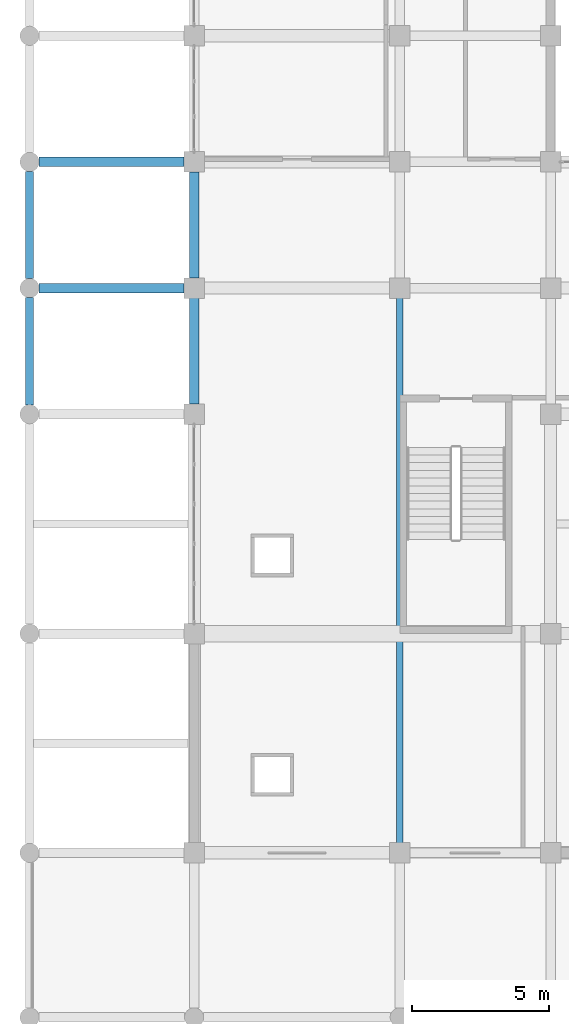
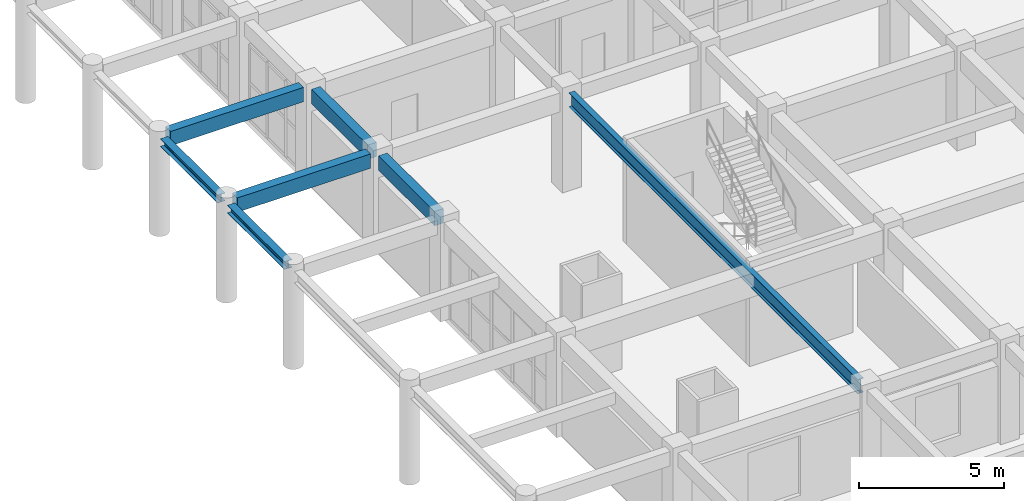
# One storey, part 7 of 116: 7 beams.
"""IFC4 building model written with IfcOpenShell, lengths in metres."""

from ifc_helpers import new_model, si_unit, direction, frame, origin, origin_2d, place, context, subcontext, project, spatial, rectangle, i_section, extrude, material, material_profile, profile_set, type_object, element, save


model = new_model("IFC4")

# Units and contexts
model_context = context("Model", 3, precision=1e-05, world=origin(), true_north=direction((0.0, 1.0)))
body_context = subcontext(model_context, "Body", "Model", "MODEL_VIEW")
ifc_project = project(units=[si_unit("LENGTHUNIT", "METRE"), si_unit("AREAUNIT", "SQUARE_METRE"), si_unit("VOLUMEUNIT", "CUBIC_METRE"), si_unit("PLANEANGLEUNIT", "RADIAN"), si_unit("MASSUNIT", "GRAM", prefix="KILO")], contexts=[model_context])

# Site, building, storey
site_placement = place(None, origin())
site = spatial("IfcSite", under=ifc_project, at=site_placement, CompositionType="ELEMENT")
building_placement = place(site_placement, origin())
building = spatial("IfcBuilding", under=site, at=building_placement, Name="Muzn Square Opera House", CompositionType="ELEMENT")
storey_placement = place(building_placement, frame((0.0, 0.0, 5.39990234375)))
storey = spatial("IfcBuildingStorey", under=building, at=storey_placement, Name="L01", CompositionType="ELEMENT", Elevation=5.39990234375)

# Beams
ifc_material_1 = material(Name="Concrete C40/50", Category="concrete")
ifc_material_profile_1 = material_profile(ifc_material_1, rectangle(XDim=0.35009765625, YDim=0.60009765625, at=origin_2d()), Name="RCB 350x600", Category="concrete")
ifc_profile_set_1 = profile_set([ifc_material_profile_1], Name="Concrete C40/50")
beam_type_1 = type_object("IfcBeamType", Name="Primary Girder 350x600", PredefinedType="BEAM", material=ifc_profile_set_1)
for number, where, z_axis, x_axis, name in (
    (1, (0.342041015625, 26.60009765625, 3.85009765625), (1.0, 0.0, 0.0), (0.0, 1.0, 0.0), "Primary Girder BM-L01-BM-PG600-3_266_56_266-1295"),
    (2, (0.342041015625, 31.199951171875, 3.85009765625), (1.0, 0.0, 0.0), (0.0, 1.0, 0.0), "Primary Girder BM-L01-BM-PG600-3_312_56_312-1312"),
):
    element("IfcBeam", number, at=place(storey_placement, frame(where, z_axis=z_axis, x_axis=x_axis)), inside=storey, type_object=beam_type_1, Name=name, PredefinedType="BEAM", context=body_context, shape_type="SweptSolid", body=[
        extrude(rectangle(XDim=0.35009765625, YDim=0.60009765625, at=origin_2d()), origin(), (0.0, 0.0, 1.0), 5.291015625),
    ])
for number, where, z_axis, x_axis, name in (
    (3, (6.0, 22.366943359375, 3.820068359375), (0.0, 1.0, 0.0), (-1.0, 0.0, 0.0), "Primary Girder BM-L01-BM-PG600-60_224_60_262-1528"),
    (4, (6.0, 26.967041015625, 3.820068359375), (0.0, 1.0, 0.0), (-1.0, 0.0, 0.0), "Primary Girder BM-L01-BM-PG600-60_270_60_308-1529"),
):
    element("IfcBeam", number, at=place(storey_placement, frame(where, z_axis=z_axis, x_axis=x_axis)), inside=storey, type_object=beam_type_1, Name=name, PredefinedType="BEAM", context=body_context, shape_type="SweptSolid", body=[
        extrude(rectangle(XDim=0.35009765625, YDim=0.60009765625, at=origin_2d()), origin(), (0.0, 0.0, 1.0), 3.865966796875),
    ])
ifc_material_2 = material(Name="Steel S355", Category="steel")
ifc_material_profile_2 = material_profile(ifc_material_2, i_section(OverallWidth=0.219970703125, OverallDepth=0.60009765625, WebThickness=0.011962890625, FlangeThickness=0.01904296875, FilletRadius=0.02392578125, at=origin_2d()), Name="IPE 600", Category="steel")
ifc_profile_set_2 = profile_set([ifc_material_profile_2], Name="Steel S355")
beam_type_2 = type_object("IfcBeamType", Name="Stage Gallery Beam IPE600", PredefinedType="BEAM", material=ifc_profile_set_2)
beam_placement = place(storey_placement, frame((13.5, 6.366943359375, 3.820068359375), z_axis=(0.0, 1.0, 0.0), x_axis=(-1.0, 0.0, 0.0)))
element("IfcBeam", 5, at=beam_placement, inside=storey, type_object=beam_type_2, Name="Primary Girder BM-L01-BM-SG600-135_64_135_262-1543", PredefinedType="BEAM", context=body_context, shape_type="SweptSolid", body=[
    extrude(i_section(OverallWidth=0.219970703125, OverallDepth=0.60009765625, WebThickness=0.011962890625, FlangeThickness=0.01904296875, FilletRadius=0.02392578125, at=origin_2d()), origin(), (0.0, 0.0, 1.0), 19.865966796875),
])
ifc_material_profile_3 = material_profile(ifc_material_2, i_section(OverallWidth=0.300048828125, OverallDepth=0.330078125, WebThickness=0.009521484375, FlangeThickness=0.0166015625, FilletRadius=0.027099609375, at=origin_2d()), Name="HEA 340", Category="steel")
ifc_profile_set_3 = profile_set([ifc_material_profile_3], Name="Steel S355")
beam_type_3 = type_object("IfcBeamType", Name="Steel Spandrel Beam HEA340", PredefinedType="SPANDREL", material=ifc_profile_set_3)
for number, where, z_axis, x_axis, name in (
    (6, (0.0, 22.342041015625, 3.955078125), (0.0, 1.0, 0.0), (-1.0, 0.0, 0.0), "Spandrel Beam BM-L01-BM-SSP340-0_223_0_263-1511"),
    (7, (0.0, 26.94189453125, 3.955078125), (0.0, 1.0, 0.0), (-1.0, 0.0, 0.0), "Spandrel Beam BM-L01-BM-SSP340-0_269_0_309-1512"),
):
    element("IfcBeam", number, at=place(storey_placement, frame(where, z_axis=z_axis, x_axis=x_axis)), inside=storey, type_object=beam_type_3, Name=name, PredefinedType="SPANDREL", context=body_context, shape_type="SweptSolid", body=[
        extrude(i_section(OverallWidth=0.300048828125, OverallDepth=0.330078125, WebThickness=0.009521484375, FlangeThickness=0.0166015625, FilletRadius=0.027099609375, at=origin_2d()), origin(), (0.0, 0.0, 1.0), 3.916015625),
    ])

save(model, "model.ifc")
